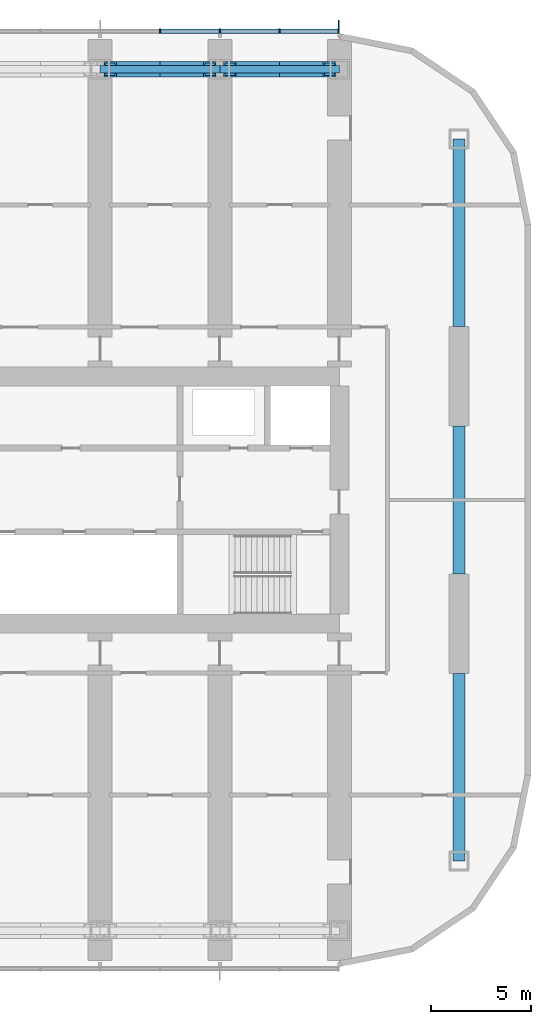
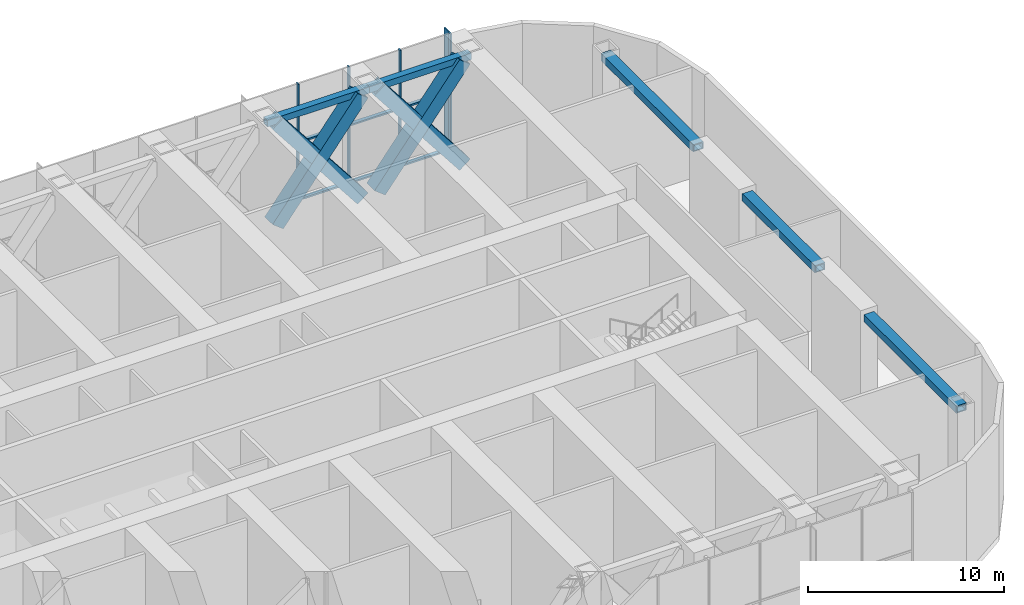
# One storey, part 5 of 22: 15 members, 5 beams, 1 element without a shape of its own.
"""IFC4 building model written with IfcOpenShell, lengths in metres."""

from ifc_helpers import new_model, si_unit, direction, frame, origin, origin_2d, place, context, subcontext, project, spatial, rectangle, hollow_rectangle, extrude, material, material_profile, profile_set, type_object, element, aggregate, save


model = new_model("IFC4")

# Units and contexts
model_context = context("Model", 3, precision=1e-05, world=origin(), true_north=direction((0.0, 1.0)))
body_context = subcontext(model_context, "Body", "Model", "MODEL_VIEW")
ifc_project = project(units=[si_unit("LENGTHUNIT", "METRE"), si_unit("AREAUNIT", "SQUARE_METRE"), si_unit("VOLUMEUNIT", "CUBIC_METRE"), si_unit("PLANEANGLEUNIT", "RADIAN"), si_unit("MASSUNIT", "GRAM", prefix="KILO")], contexts=[model_context])

# Site, building, storey
site_placement = place(None, origin())
site = spatial("IfcSite", under=ifc_project, at=site_placement, CompositionType="ELEMENT")
building_placement = place(site_placement, origin())
building = spatial("IfcBuilding", under=site, at=building_placement, Name="Orbita Commons", CompositionType="ELEMENT")
storey_placement = place(building_placement, frame((0.0, 0.0, 133.14990234375)))
storey = spatial("IfcBuildingStorey", under=building, at=storey_placement, Name="L33", CompositionType="ELEMENT", Elevation=133.14990234375)

# Members
ifc_material_1 = material(Name="Steel ASTM A572 Gr 50 welded plate", Category="steel")
ifc_material_profile_1 = material_profile(ifc_material_1, hollow_rectangle(XDim=0.800048828125, YDim=0.800048828125, WallThickness=0.080078125, at=origin_2d()), Name="BOX 800x800x80")
ifc_profile_set_1 = profile_set([ifc_material_profile_1], Name="Steel ASTM A572 Gr 50 welded plate")
member_type_1 = type_object("IfcMemberType", Name="Belt truss diagonal BOX 800x800x80", PredefinedType="BRACE", material=ifc_profile_set_1)
for number, where, z_axis, x_axis, name in (
    (1, (54.5, 53.60009765625, 0.25), (0.615635291812, 0.0, 0.788031209709), (0.0, 1.0, 0.0), "Belt truss diagonal E 10-11 rising L33"),
    (2, (54.5, 53.60009765625, 6.650146484375), (0.615635291812, 0.0, -0.788031209709), (0.0, 1.0, 0.0), "Belt truss diagonal E 10-11 falling L33"),
    (3, (60.5, 53.60009765625, 0.25), (0.615635291812, 0.0, 0.788031209709), (0.0, 1.0, 0.0), "Belt truss diagonal E 11-12 rising L33"),
    (4, (60.5, 53.60009765625, 6.650146484375), (0.615635291812, 0.0, -0.788031209709), (0.0, 1.0, 0.0), "Belt truss diagonal E 11-12 falling L33"),
):
    element("IfcMember", number, at=place(storey_placement, frame(where, z_axis=z_axis, x_axis=x_axis)), inside=storey, type_object=member_type_1, Name=name, PredefinedType="BRACE", context=body_context, shape_type="SweptSolid", body=[
        extrude(hollow_rectangle(XDim=0.800048828125, YDim=0.800048828125, WallThickness=0.080078125, at=origin_2d()), origin(), (0.0, 0.0, 1.0), 8.12158203125),
    ])

# Curtain wall, members
ifc_material_2 = material(Name="Anodised aluminium frame, pale silver", Category="aluminium")
curtain_wall_type = type_object("IfcCurtainWallType", Name="Louvred curtain wall CW-V", PredefinedType="NOTDEFINED", material=ifc_material_2)
curtain_wall_placement = place(storey_placement, origin())
curtain_wall = element("IfcCurtainWall", 5, at=curtain_wall_placement, inside=storey, type_object=curtain_wall_type, Name="Curtain wall north L33", PredefinedType="NOTDEFINED")
ifc_material_3 = material(Name="Anodised aluminium, pale silver", Category="aluminium")
ifc_material_profile_2 = material_profile(ifc_material_3, rectangle(XDim=0.080078125, YDim=0.219970703125, at=origin_2d()), Name="AL 80x220")
ifc_profile_set_2 = profile_set([ifc_material_profile_2], Name="Anodised aluminium, pale silver")
member_type_2 = type_object("IfcMemberType", Name="Curtain wall mullion 80x220", PredefinedType="MULLION", material=ifc_profile_set_2)
member_1_placement = place(storey_placement, frame((65.9599609375, 55.510009765625, -0.349853515625), z_axis=(0.0, 0.0, 1.0), x_axis=(-1.0, 0.0, 0.0)))
member_1 = element("IfcMember", 6, at=member_1_placement, type_object=member_type_2, Name="Mullion 1 CW-L33-N", PredefinedType="MULLION", context=body_context, shape_type="SweptSolid", body=[
    extrude(rectangle(XDim=0.080078125, YDim=0.219970703125, at=origin_2d()), origin(), (0.0, 0.0, 1.0), 7.25),
])
member_2_placement = place(storey_placement, frame((63.0, 55.510009765625, -0.349853515625), z_axis=(0.0, 0.0, 1.0), x_axis=(-1.0, 0.0, 0.0)))
member_2 = element("IfcMember", 7, at=member_2_placement, type_object=member_type_2, Name="Mullion 2 CW-L33-N", PredefinedType="MULLION", context=body_context, shape_type="SweptSolid", body=[
    extrude(rectangle(XDim=0.080078125, YDim=0.219970703125, at=origin_2d()), origin(), (0.0, 0.0, 1.0), 7.25),
])
member_3_placement = place(storey_placement, frame((60.0, 55.510009765625, -0.349853515625), z_axis=(0.0, 0.0, 1.0), x_axis=(-1.0, 0.0, 0.0)))
member_3 = element("IfcMember", 8, at=member_3_placement, type_object=member_type_2, Name="Mullion 3 CW-L33-N", PredefinedType="MULLION", context=body_context, shape_type="SweptSolid", body=[
    extrude(rectangle(XDim=0.080078125, YDim=0.219970703125, at=origin_2d()), origin(), (0.0, 0.0, 1.0), 7.25),
])
member_4_placement = place(storey_placement, frame((57.0, 55.510009765625, -0.349853515625), z_axis=(0.0, 0.0, 1.0), x_axis=(-1.0, 0.0, 0.0)))
member_4 = element("IfcMember", 9, at=member_4_placement, type_object=member_type_2, Name="Mullion 4 CW-L33-N", PredefinedType="MULLION", context=body_context, shape_type="SweptSolid", body=[
    extrude(rectangle(XDim=0.080078125, YDim=0.219970703125, at=origin_2d()), origin(), (0.0, 0.0, 1.0), 7.25),
])
ifc_material_4 = material(Name="Anodised aluminium, pale silver", Category="aluminium")
ifc_material_profile_3 = material_profile(ifc_material_4, rectangle(XDim=0.219970703125, YDim=0.10009765625, at=origin_2d()), Name="AL 220x100")
ifc_profile_set_3 = profile_set([ifc_material_profile_3], Name="Anodised aluminium, pale silver")
member_type_3 = type_object("IfcMemberType", Name="Curtain wall stack transom 220x100", PredefinedType="USERDEFINED", material=ifc_profile_set_3)
member_5_placement = place(storey_placement, frame((65.919921875, 55.510009765625, -0.2998046875), z_axis=(-1.0, 0.0, 0.0), x_axis=(0.0, -1.0, 0.0)))
member_5 = element("IfcMember", 10, at=member_5_placement, type_object=member_type_3, Name="Transom 1.1 CW-L33-N", ObjectType="TRANSOM", PredefinedType="USERDEFINED", context=body_context, shape_type="SweptSolid", body=[
    extrude(rectangle(XDim=0.219970703125, YDim=0.10009765625, at=origin_2d()), origin(), (0.0, 0.0, 1.0), 2.8798828125),
])
member_6_placement = place(storey_placement, frame((65.919921875, 55.510009765625, 3.275146484375), z_axis=(-1.0, 0.0, 0.0), x_axis=(0.0, -1.0, 0.0)))
member_6 = element("IfcMember", 11, at=member_6_placement, type_object=member_type_3, Name="Transom 1.2 CW-L33-N", ObjectType="TRANSOM", PredefinedType="USERDEFINED", context=body_context, shape_type="SweptSolid", body=[
    extrude(rectangle(XDim=0.219970703125, YDim=0.10009765625, at=origin_2d()), origin(), (0.0, 0.0, 1.0), 2.8798828125),
])
member_7_placement = place(storey_placement, frame((62.9599609375, 55.510009765625, -0.2998046875), z_axis=(-1.0, 0.0, 0.0), x_axis=(0.0, -1.0, 0.0)))
member_7 = element("IfcMember", 12, at=member_7_placement, type_object=member_type_3, Name="Transom 2.1 CW-L33-N", ObjectType="TRANSOM", PredefinedType="USERDEFINED", context=body_context, shape_type="SweptSolid", body=[
    extrude(rectangle(XDim=0.219970703125, YDim=0.10009765625, at=origin_2d()), origin(), (0.0, 0.0, 1.0), 2.919921875),
])
member_8_placement = place(storey_placement, frame((62.9599609375, 55.510009765625, 3.275146484375), z_axis=(-1.0, 0.0, 0.0), x_axis=(0.0, -1.0, 0.0)))
member_8 = element("IfcMember", 13, at=member_8_placement, type_object=member_type_3, Name="Transom 2.2 CW-L33-N", ObjectType="TRANSOM", PredefinedType="USERDEFINED", context=body_context, shape_type="SweptSolid", body=[
    extrude(rectangle(XDim=0.219970703125, YDim=0.10009765625, at=origin_2d()), origin(), (0.0, 0.0, 1.0), 2.919921875),
])
member_9_placement = place(storey_placement, frame((59.9599609375, 55.510009765625, -0.2998046875), z_axis=(-1.0, 0.0, 0.0), x_axis=(0.0, -1.0, 0.0)))
member_9 = element("IfcMember", 14, at=member_9_placement, type_object=member_type_3, Name="Transom 3.1 CW-L33-N", ObjectType="TRANSOM", PredefinedType="USERDEFINED", context=body_context, shape_type="SweptSolid", body=[
    extrude(rectangle(XDim=0.219970703125, YDim=0.10009765625, at=origin_2d()), origin(), (0.0, 0.0, 1.0), 2.919921875),
])
member_10_placement = place(storey_placement, frame((59.9599609375, 55.510009765625, 3.275146484375), z_axis=(-1.0, 0.0, 0.0), x_axis=(0.0, -1.0, 0.0)))
member_10 = element("IfcMember", 15, at=member_10_placement, type_object=member_type_3, Name="Transom 3.2 CW-L33-N", ObjectType="TRANSOM", PredefinedType="USERDEFINED", context=body_context, shape_type="SweptSolid", body=[
    extrude(rectangle(XDim=0.219970703125, YDim=0.10009765625, at=origin_2d()), origin(), (0.0, 0.0, 1.0), 2.919921875),
])

# Beams
ifc_material_5 = material(Name="Steel ASTM A572 Gr 50 welded plate", Category="steel")
ifc_material_profile_4 = material_profile(ifc_material_5, hollow_rectangle(XDim=0.60009765625, YDim=0.449951171875, WallThickness=0.06005859375, at=origin_2d()), Name="BOX 450x600x60")
ifc_profile_set_4 = profile_set([ifc_material_profile_4], Name="Steel ASTM A572 Gr 50 welded plate")
beam_type_1 = type_object("IfcBeamType", Name="Steel end frame link BOX 450x600x60", PredefinedType="BEAM", material=ifc_profile_set_4)
beam_1_placement = place(storey_placement, frame((72.0, 13.89990234375, 6.675048828125), z_axis=(0.0, 1.0, 0.0), x_axis=(-1.0, 0.0, 0.0)))
element("IfcBeam", 16, at=beam_1_placement, inside=storey, type_object=beam_type_1, Name="End frame beam 13 B-C L33", PredefinedType="BEAM", context=body_context, shape_type="SweptSolid", body=[
    extrude(hollow_rectangle(XDim=0.60009765625, YDim=0.449951171875, WallThickness=0.06005859375, at=origin_2d()), origin(), (0.0, 0.0, 1.0), 9.400146484375),
])
beam_2_placement = place(storey_placement, frame((72.0, 28.300048828125, 6.675048828125), z_axis=(0.0, 1.0, 0.0), x_axis=(-1.0, 0.0, 0.0)))
element("IfcBeam", 17, at=beam_2_placement, inside=storey, type_object=beam_type_1, Name="End frame beam 13 C-D L33", PredefinedType="BEAM", context=body_context, shape_type="SweptSolid", body=[
    extrude(hollow_rectangle(XDim=0.60009765625, YDim=0.449951171875, WallThickness=0.06005859375, at=origin_2d()), origin(), (0.0, 0.0, 1.0), 7.39990234375),
])
beam_3_placement = place(storey_placement, frame((72.0, 40.699951171875, 6.675048828125), z_axis=(0.0, 1.0, 0.0), x_axis=(-1.0, 0.0, 0.0)))
element("IfcBeam", 18, at=beam_3_placement, inside=storey, type_object=beam_type_1, Name="End frame beam 13 D-E L33", PredefinedType="BEAM", context=body_context, shape_type="SweptSolid", body=[
    extrude(hollow_rectangle(XDim=0.60009765625, YDim=0.449951171875, WallThickness=0.06005859375, at=origin_2d()), origin(), (0.0, 0.0, 1.0), 9.400146484375),
])
ifc_material_6 = material(Name="Steel ASTM A572 Gr 50 welded plate", Category="steel")
ifc_material_profile_5 = material_profile(ifc_material_6, hollow_rectangle(XDim=0.39990234375, YDim=0.39990234375, WallThickness=0.0400390625, at=origin_2d()), Name="BOX 400x400x40")
ifc_profile_set_5 = profile_set([ifc_material_profile_5], Name="Steel ASTM A572 Gr 50 welded plate")
beam_type_2 = type_object("IfcBeamType", Name="Steel spandrel BOX 400x400x40", PredefinedType="SPANDREL", material=ifc_profile_set_5)
for number, where, z_axis, x_axis, name in (
    (19, (54.0, 53.60009765625, 6.7001953125), (1.0, 0.0, 0.0), (0.0, 1.0, 0.0), "Spandrel beam E 10-11 L33"),
    (20, (60.0, 53.60009765625, 6.7001953125), (1.0, 0.0, 0.0), (0.0, 1.0, 0.0), "Spandrel beam E 11-12 L33"),
):
    element("IfcBeam", number, at=place(storey_placement, frame(where, z_axis=z_axis, x_axis=x_axis)), inside=storey, type_object=beam_type_2, Name=name, PredefinedType="SPANDREL", context=body_context, shape_type="SweptSolid", body=[
        extrude(hollow_rectangle(XDim=0.39990234375, YDim=0.39990234375, WallThickness=0.0400390625, at=origin_2d()), origin(), (0.0, 0.0, 1.0), 6.0),
    ])

# Member
ifc_material_7 = material(Name="Anodised aluminium, pale silver", Category="aluminium")
ifc_material_profile_6 = material_profile(ifc_material_7, rectangle(XDim=0.06005859375, YDim=0.449951171875, at=origin_2d()), Name="FIN 60x450")
ifc_profile_set_6 = profile_set([ifc_material_profile_6], Name="Anodised aluminium, pale silver")
member_type_4 = type_object("IfcMemberType", Name="Vertical fin 60x450 pale aluminium", PredefinedType="USERDEFINED", material=ifc_profile_set_6)
member_11_placement = place(storey_placement, frame((65.9599609375, 55.844970703125, -0.349853515625), z_axis=(0.0, 0.0, 1.0), x_axis=(-1.0, 0.0, 0.0)))
member_11 = element("IfcMember", 21, at=member_11_placement, type_object=member_type_4, Name="Fin 1 CW-L33-N", ObjectType="FIN", PredefinedType="USERDEFINED", context=body_context, shape_type="SweptSolid", body=[
    extrude(rectangle(XDim=0.06005859375, YDim=0.449951171875, at=origin_2d()), origin(), (0.0, 0.0, 1.0), 7.25),
])

aggregate(curtain_wall, [member_1, member_11, member_2, member_3, member_4, member_5, member_6, member_7, member_8, member_9, member_10])

save(model, "model.ifc")
